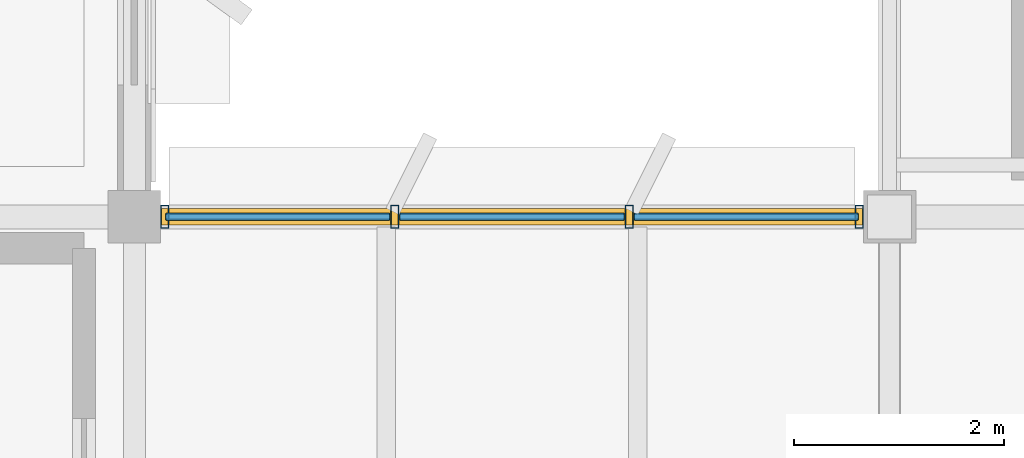
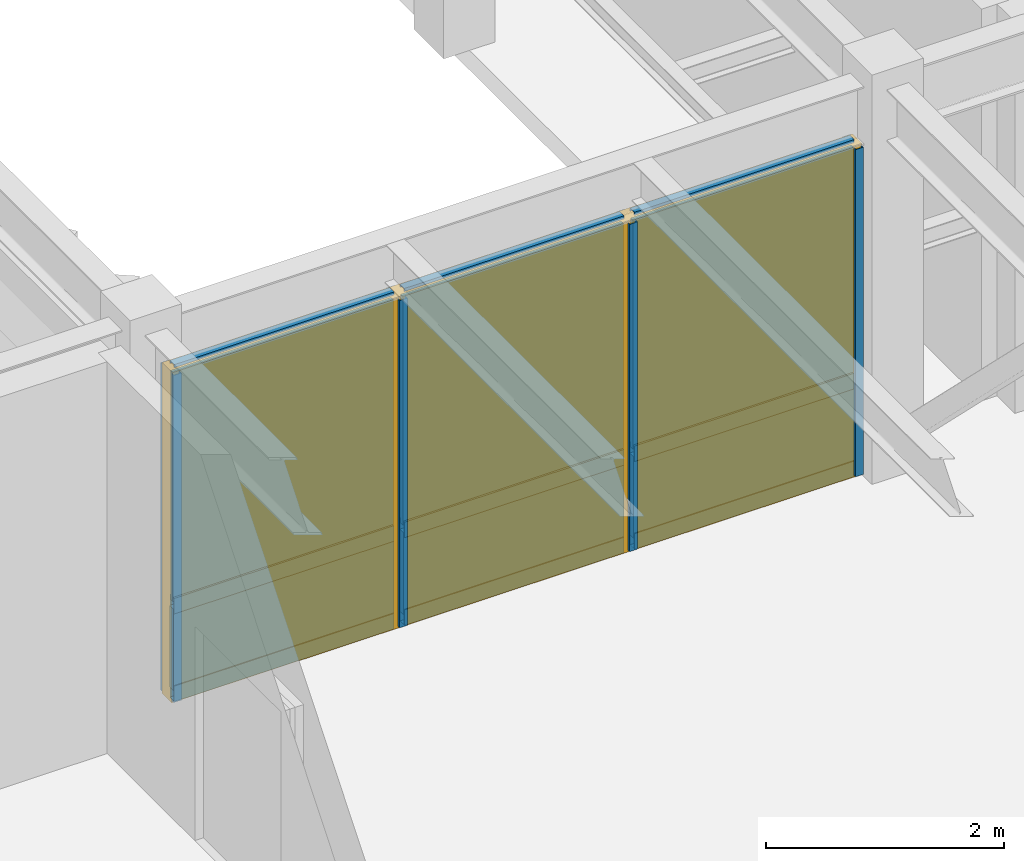
# One storey, part 51 of 85: 13 members, 6 plates, 1 curtain wall.
"""IFC4 building model written with IfcOpenShell, lengths in metres."""

from ifc_helpers import new_model, si_unit, direction, frame, origin, origin_2d, place, context, subcontext, project, spatial, rectangle, hollow_rectangle, extrude, material, layer, layer_set, material_profile, profile_set, type_object, element, aggregate, save


model = new_model("IFC4")

# Units and contexts
model_context = context("Model", 3, precision=1e-05, world=origin(), true_north=direction((0.0, 1.0)))
body_context = subcontext(model_context, "Body", "Model", "MODEL_VIEW")
ifc_project = project(units=[si_unit("LENGTHUNIT", "METRE"), si_unit("AREAUNIT", "SQUARE_METRE"), si_unit("VOLUMEUNIT", "CUBIC_METRE"), si_unit("PLANEANGLEUNIT", "RADIAN"), si_unit("MASSUNIT", "GRAM", prefix="KILO")], contexts=[model_context])

# Member
ifc_material_1 = material(Name="Anodized Aluminium 6063-T6", Category="aluminium")
ifc_material_profile_1 = material_profile(ifc_material_1, hollow_rectangle(XDim=0.074951171875, YDim=0.219970703125, WallThickness=0.0048828125, at=origin_2d()), Name="ALU 75x220x5")
ifc_profile_set_1 = profile_set([ifc_material_profile_1], Name="Anodized Aluminium 6063-T6")
member_type_1 = type_object("IfcMemberType", Name="CWM-75X180", PredefinedType="MULLION", material=ifc_profile_set_1)
site_placement = place(None, origin())
building_placement = place(site_placement, origin())
storey_placement = place(building_placement, frame((0.0, 0.0, 9.89990234375)))
member_1_placement = place(storey_placement, frame((115.489990234375, 50.39990234375, 0.02001953125), z_axis=(0.0, 0.0, 1.0), x_axis=(1.0, 0.0, 0.0)))
member_1 = element("IfcMember", 1, at=member_1_placement, type_object=member_type_1, Name="Curtain wall mullion CW-L03-16-06-N-00", PredefinedType="MULLION", context=body_context, shape_type="SweptSolid", body=[
    extrude(hollow_rectangle(XDim=0.074951171875, YDim=0.219970703125, WallThickness=0.0048828125, at=origin_2d()), origin(), (0.0, 0.0, 1.0), 3.358154296875),
])

member_2_placement = place(storey_placement, frame((117.683349609375, 50.39990234375, 0.02001953125), z_axis=(0.0, 0.0, 1.0), x_axis=(1.0, 0.0, 0.0)))
member_2 = element("IfcMember", 2, at=member_2_placement, type_object=member_type_1, Name="Curtain wall mullion CW-L03-16-06-N-01", PredefinedType="MULLION", context=body_context, shape_type="SweptSolid", body=[
    extrude(hollow_rectangle(XDim=0.074951171875, YDim=0.219970703125, WallThickness=0.0048828125, at=origin_2d()), origin(), (0.0, 0.0, 1.0), 3.358154296875),
])

member_3_placement = place(storey_placement, frame((119.916748046875, 50.39990234375, 0.02001953125), z_axis=(0.0, 0.0, 1.0), x_axis=(1.0, 0.0, 0.0)))
member_3 = element("IfcMember", 3, at=member_3_placement, type_object=member_type_1, Name="Curtain wall mullion CW-L03-16-06-N-02", PredefinedType="MULLION", context=body_context, shape_type="SweptSolid", body=[
    extrude(hollow_rectangle(XDim=0.074951171875, YDim=0.219970703125, WallThickness=0.0048828125, at=origin_2d()), origin(), (0.0, 0.0, 1.0), 3.358154296875),
])

member_4_placement = place(storey_placement, frame((122.110107421875, 50.39990234375, 0.02001953125), z_axis=(0.0, 0.0, 1.0), x_axis=(1.0, 0.0, 0.0)))
member_4 = element("IfcMember", 4, at=member_4_placement, type_object=member_type_1, Name="Curtain wall mullion CW-L03-16-06-N-03", PredefinedType="MULLION", context=body_context, shape_type="SweptSolid", body=[
    extrude(hollow_rectangle(XDim=0.074951171875, YDim=0.219970703125, WallThickness=0.0048828125, at=origin_2d()), origin(), (0.0, 0.0, 1.0), 3.358154296875),
])

ifc_material_profile_2 = material_profile(ifc_material_1, hollow_rectangle(XDim=0.074951171875, YDim=0.159912109375, WallThickness=0.00390625, at=origin_2d()), Name="ALU 75x160x4")
ifc_profile_set_2 = profile_set([ifc_material_profile_2], Name="Anodized Aluminium 6063-T6")
member_type_2 = type_object("IfcMemberType", Name="CWT-75X150", PredefinedType="USERDEFINED", material=ifc_profile_set_2)
member_5_placement = place(storey_placement, frame((115.5, 50.39990234375, 0.050048828125), z_axis=(1.0, 0.0, 0.0), x_axis=(0.0, 1.0, 0.0)))
member_5 = element("IfcMember", 5, at=member_5_placement, type_object=member_type_2, Name="Curtain wall transom CW-L03-16-06-N-1.01", ObjectType="TRANSOM", PredefinedType="USERDEFINED", context=body_context, shape_type="SweptSolid", body=[
    extrude(hollow_rectangle(XDim=0.074951171875, YDim=0.159912109375, WallThickness=0.00390625, at=origin_2d()), origin(), (0.0, 0.0, 1.0), 2.13330078125),
])

member_6_placement = place(storey_placement, frame((117.7333984375, 50.39990234375, 0.050048828125), z_axis=(1.0, 0.0, 0.0), x_axis=(0.0, 1.0, 0.0)))
member_6 = element("IfcMember", 6, at=member_6_placement, type_object=member_type_2, Name="Curtain wall transom CW-L03-16-06-N-1.02", ObjectType="TRANSOM", PredefinedType="USERDEFINED", context=body_context, shape_type="SweptSolid", body=[
    extrude(hollow_rectangle(XDim=0.074951171875, YDim=0.159912109375, WallThickness=0.00390625, at=origin_2d()), origin(), (0.0, 0.0, 1.0), 2.13330078125),
])

member_7_placement = place(storey_placement, frame((119.966796875, 50.39990234375, 0.050048828125), z_axis=(1.0, 0.0, 0.0), x_axis=(0.0, 1.0, 0.0)))
member_7 = element("IfcMember", 7, at=member_7_placement, type_object=member_type_2, Name="Curtain wall transom CW-L03-16-06-N-1.03", ObjectType="TRANSOM", PredefinedType="USERDEFINED", context=body_context, shape_type="SweptSolid", body=[
    extrude(hollow_rectangle(XDim=0.074951171875, YDim=0.159912109375, WallThickness=0.00390625, at=origin_2d()), origin(), (0.0, 0.0, 1.0), 2.13330078125),
])

member_8_placement = place(storey_placement, frame((115.5, 50.39990234375, 0.9501953125), z_axis=(1.0, 0.0, 0.0), x_axis=(0.0, 1.0, 0.0)))
member_8 = element("IfcMember", 8, at=member_8_placement, type_object=member_type_2, Name="Curtain wall transom CW-L03-16-06-N-2.01", ObjectType="TRANSOM", PredefinedType="USERDEFINED", context=body_context, shape_type="SweptSolid", body=[
    extrude(hollow_rectangle(XDim=0.074951171875, YDim=0.159912109375, WallThickness=0.00390625, at=origin_2d()), origin(), (0.0, 0.0, 1.0), 2.13330078125),
])

member_9_placement = place(storey_placement, frame((117.7333984375, 50.39990234375, 0.9501953125), z_axis=(1.0, 0.0, 0.0), x_axis=(0.0, 1.0, 0.0)))
member_9 = element("IfcMember", 9, at=member_9_placement, type_object=member_type_2, Name="Curtain wall transom CW-L03-16-06-N-2.02", ObjectType="TRANSOM", PredefinedType="USERDEFINED", context=body_context, shape_type="SweptSolid", body=[
    extrude(hollow_rectangle(XDim=0.074951171875, YDim=0.159912109375, WallThickness=0.00390625, at=origin_2d()), origin(), (0.0, 0.0, 1.0), 2.13330078125),
])

member_10_placement = place(storey_placement, frame((119.966796875, 50.39990234375, 0.9501953125), z_axis=(1.0, 0.0, 0.0), x_axis=(0.0, 1.0, 0.0)))
member_10 = element("IfcMember", 10, at=member_10_placement, type_object=member_type_2, Name="Curtain wall transom CW-L03-16-06-N-2.03", ObjectType="TRANSOM", PredefinedType="USERDEFINED", context=body_context, shape_type="SweptSolid", body=[
    extrude(hollow_rectangle(XDim=0.074951171875, YDim=0.159912109375, WallThickness=0.00390625, at=origin_2d()), origin(), (0.0, 0.0, 1.0), 2.13330078125),
])

member_11_placement = place(storey_placement, frame((115.5, 50.39990234375, 3.34814453125), z_axis=(1.0, 0.0, 0.0), x_axis=(0.0, 1.0, 0.0)))
member_11 = element("IfcMember", 11, at=member_11_placement, type_object=member_type_2, Name="Curtain wall transom CW-L03-16-06-N-3.01", ObjectType="TRANSOM", PredefinedType="USERDEFINED", context=body_context, shape_type="SweptSolid", body=[
    extrude(hollow_rectangle(XDim=0.074951171875, YDim=0.159912109375, WallThickness=0.00390625, at=origin_2d()), origin(), (0.0, 0.0, 1.0), 2.13330078125),
])

member_12_placement = place(storey_placement, frame((117.7333984375, 50.39990234375, 3.34814453125), z_axis=(1.0, 0.0, 0.0), x_axis=(0.0, 1.0, 0.0)))
member_12 = element("IfcMember", 12, at=member_12_placement, type_object=member_type_2, Name="Curtain wall transom CW-L03-16-06-N-3.02", ObjectType="TRANSOM", PredefinedType="USERDEFINED", context=body_context, shape_type="SweptSolid", body=[
    extrude(hollow_rectangle(XDim=0.074951171875, YDim=0.159912109375, WallThickness=0.00390625, at=origin_2d()), origin(), (0.0, 0.0, 1.0), 2.13330078125),
])

member_13_placement = place(storey_placement, frame((119.966796875, 50.39990234375, 3.34814453125), z_axis=(1.0, 0.0, 0.0), x_axis=(0.0, 1.0, 0.0)))
member_13 = element("IfcMember", 13, at=member_13_placement, type_object=member_type_2, Name="Curtain wall transom CW-L03-16-06-N-3.03", ObjectType="TRANSOM", PredefinedType="USERDEFINED", context=body_context, shape_type="SweptSolid", body=[
    extrude(hollow_rectangle(XDim=0.074951171875, YDim=0.159912109375, WallThickness=0.00390625, at=origin_2d()), origin(), (0.0, 0.0, 1.0), 2.13330078125),
])

# Plate
ifc_material_2 = material(Name="Acoustic Laminated Low-E Glazing", Category="glass")
ifc_layer_1 = layer(ifc_material_2, 0.0439453125)
ifc_layer_set_1 = layer_set([ifc_layer_1], Name="Acoustic Laminated Low-E Glazing")
plate_type_1 = type_object("IfcPlateType", Name="CWP-IGU-44", PredefinedType="CURTAIN_PANEL", material=ifc_layer_set_1)
plate_1_placement = place(storey_placement, frame((116.566650390625, 50.39990234375, 0.990234375), z_axis=(0.0, 0.0, 1.0), x_axis=(1.0, 0.0, 0.0)))
plate_1 = element("IfcPlate", 14, at=plate_1_placement, type_object=plate_type_1, Name="Curtain wall vision glazing CW-L03-16-06-N-01", PredefinedType="CURTAIN_PANEL", context=body_context, shape_type="SweptSolid", body=[
    extrude(rectangle(XDim=2.143310546875, YDim=0.0400390625, at=origin_2d()), origin(), (0.0, 0.0, 1.0), 2.347900390625),
])

plate_2_placement = place(storey_placement, frame((118.800048828125, 50.39990234375, 0.990234375), z_axis=(0.0, 0.0, 1.0), x_axis=(1.0, 0.0, 0.0)))
plate_2 = element("IfcPlate", 15, at=plate_2_placement, type_object=plate_type_1, Name="Curtain wall vision glazing CW-L03-16-06-N-02", PredefinedType="CURTAIN_PANEL", context=body_context, shape_type="SweptSolid", body=[
    extrude(rectangle(XDim=2.143310546875, YDim=0.0400390625, at=origin_2d()), origin(), (0.0, 0.0, 1.0), 2.347900390625),
])

plate_3_placement = place(storey_placement, frame((121.033203125, 50.39990234375, 0.990234375), z_axis=(0.0, 0.0, 1.0), x_axis=(1.0, 0.0, 0.0)))
plate_3 = element("IfcPlate", 16, at=plate_3_placement, type_object=plate_type_1, Name="Curtain wall vision glazing CW-L03-16-06-N-03", PredefinedType="CURTAIN_PANEL", context=body_context, shape_type="SweptSolid", body=[
    extrude(rectangle(XDim=2.143310546875, YDim=0.0400390625, at=origin_2d()), origin(), (0.0, 0.0, 1.0), 2.347900390625),
])

ifc_material_3 = material(Name="Insulated Stone-Composite Spandrel", Category="masonry")
ifc_layer_2 = layer(ifc_material_3, 0.068115234375)
ifc_layer_set_2 = layer_set([ifc_layer_2], Name="Insulated Stone-Composite Spandrel")
plate_type_2 = type_object("IfcPlateType", Name="CWP-SPN-68", PredefinedType="CURTAIN_PANEL", material=ifc_layer_set_2)
plate_4_placement = place(storey_placement, frame((116.566650390625, 50.39990234375, 0.080078125), z_axis=(0.0, 0.0, 1.0), x_axis=(1.0, 0.0, 0.0)))
plate_4 = element("IfcPlate", 17, at=plate_4_placement, type_object=plate_type_2, Name="Curtain wall spandrel panel CW-L03-16-06-N-01", PredefinedType="CURTAIN_PANEL", context=body_context, shape_type="SweptSolid", body=[
    extrude(rectangle(XDim=2.143310546875, YDim=0.06005859375, at=origin_2d()), origin(), (0.0, 0.0, 1.0), 0.840087890625),
])

plate_5_placement = place(storey_placement, frame((118.800048828125, 50.39990234375, 0.080078125), z_axis=(0.0, 0.0, 1.0), x_axis=(1.0, 0.0, 0.0)))
plate_5 = element("IfcPlate", 18, at=plate_5_placement, type_object=plate_type_2, Name="Curtain wall spandrel panel CW-L03-16-06-N-02", PredefinedType="CURTAIN_PANEL", context=body_context, shape_type="SweptSolid", body=[
    extrude(rectangle(XDim=2.143310546875, YDim=0.06005859375, at=origin_2d()), origin(), (0.0, 0.0, 1.0), 0.840087890625),
])

plate_6_placement = place(storey_placement, frame((121.033203125, 50.39990234375, 0.080078125), z_axis=(0.0, 0.0, 1.0), x_axis=(1.0, 0.0, 0.0)))
plate_6 = element("IfcPlate", 19, at=plate_6_placement, type_object=plate_type_2, Name="Curtain wall spandrel panel CW-L03-16-06-N-03", PredefinedType="CURTAIN_PANEL", context=body_context, shape_type="SweptSolid", body=[
    extrude(rectangle(XDim=2.143310546875, YDim=0.06005859375, at=origin_2d()), origin(), (0.0, 0.0, 1.0), 0.840087890625),
])

# Site, building, storey
site = spatial("IfcSite", under=ifc_project, at=site_placement, CompositionType="ELEMENT")
building = spatial("IfcBuilding", under=site, at=building_placement, Name="Sillqori Civic Hall", CompositionType="ELEMENT")
storey = spatial("IfcBuildingStorey", under=building, at=storey_placement, Name="L03", CompositionType="ELEMENT", Elevation=9.89990234375)

# Curtain wall
ifc_material_4 = material(Name="Anodized Aluminium Curtain Wall System", Category="aluminium")
curtain_wall_type = type_object("IfcCurtainWallType", Name="CW-GL-400", PredefinedType="NOTDEFINED", material=ifc_material_4)
curtain_wall_placement = place(storey_placement, frame((118.800048828125, 50.39990234375, 0.000244140625), z_axis=(0.0, 0.0, 1.0), x_axis=(1.0, 0.0, 0.0)))
curtain_wall = element("IfcCurtainWall", 20, at=curtain_wall_placement, inside=storey, type_object=curtain_wall_type, Name="L03 unitised curtain wall CW-L03-16-06-N", PredefinedType="NOTDEFINED", context=body_context, shape_type="SweptSolid", body=[
    extrude(rectangle(XDim=6.699951171875, YDim=0.159912109375, at=origin_2d()), origin(), (0.0, 0.0, 1.0), 3.39794921875),
])

aggregate(curtain_wall, [member_1, member_2, member_3, member_4, member_5, member_6, member_7, member_8, member_9, member_10, member_11, member_12, member_13, plate_4, plate_1, plate_5, plate_2, plate_6, plate_3])

save(model, "model.ifc")
